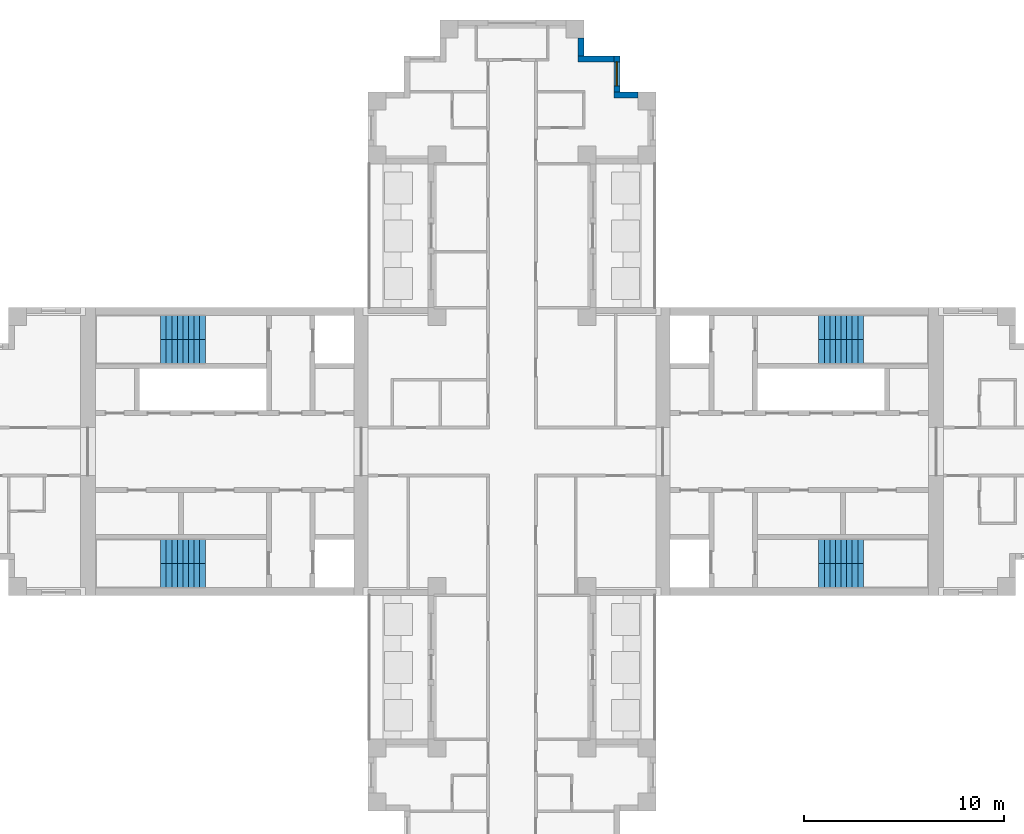
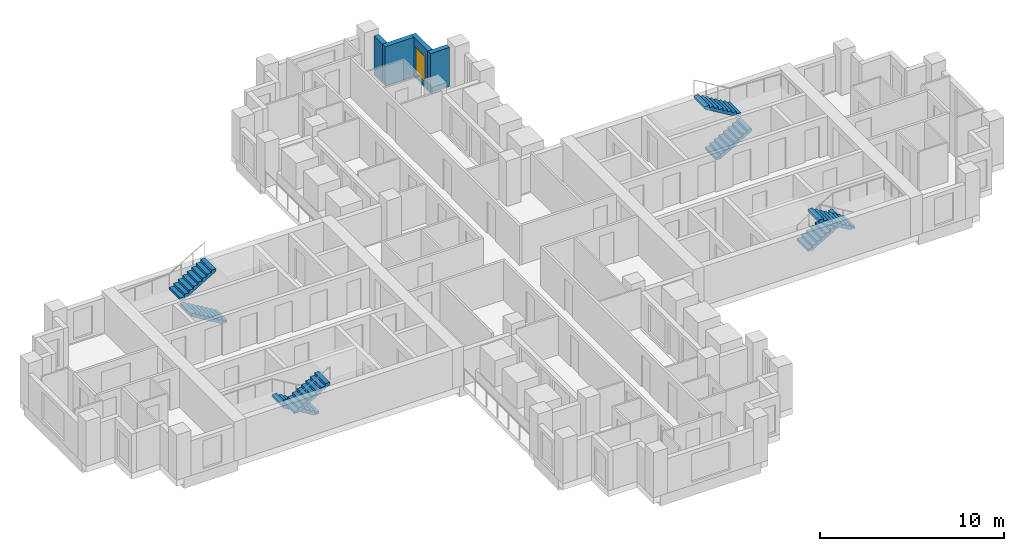
# One storey, part 8 of 10: 8 stair flights, 4 walls, 1 window, 1 opening, 4 elements without a shape of their own.
"""IFC4 building model written with IfcOpenShell, lengths in metres."""

from ifc_helpers import new_model, si_unit, direction, frame, frame_2d, origin, place, context, subcontext, project, spatial, polyline, rectangle, outline, extrude, material, layer, layer_set, type_object, element, fill, aggregate, save


model = new_model("IFC4")

# Units and contexts
model_context = context("Model", 3, precision=1e-05, world=origin(), true_north=direction((0.0, 1.0)))
body_context = subcontext(model_context, "Body", "Model", "MODEL_VIEW")
ifc_project = project(units=[si_unit("LENGTHUNIT", "METRE"), si_unit("AREAUNIT", "SQUARE_METRE"), si_unit("VOLUMEUNIT", "CUBIC_METRE"), si_unit("PLANEANGLEUNIT", "RADIAN"), si_unit("MASSUNIT", "GRAM", prefix="KILO")], contexts=[model_context])

# Site, building, storey
site_placement = place(None, origin())
site = spatial("IfcSite", under=ifc_project, at=site_placement, CompositionType="ELEMENT")
building_placement = place(site_placement, origin())
building = spatial("IfcBuilding", under=site, at=building_placement, Name="Fustian Cross Tower", CompositionType="ELEMENT")
storey_placement = place(building_placement, frame((0.0, 0.0, 228.89990234375)))
storey = spatial("IfcBuildingStorey", under=building, at=storey_placement, Name="L72", CompositionType="ELEMENT", Elevation=228.89990234375)

# Wall
ifc_material_1 = material(Name="Dark aluminium cladding on insulated backing wall", Category="aluminium")
ifc_layer = layer(ifc_material_1, 0.300048828125)
ifc_layer_set = layer_set([ifc_layer], Name="Dark aluminium cladding on insulated backing wall")
wall_type = type_object("IfcWallType", Name="XW1 EXTERNAL WALL 300", PredefinedType="SOLIDWALL", material=ifc_layer_set)
wall_1_placement = place(storey_placement, frame((6.300048828125, 17.85009765625, 0.0), z_axis=(0.0, 0.0, 1.0), x_axis=(-1.0, 0.0, 0.0)))
element("IfcWall", 1, at=wall_1_placement, inside=storey, type_object=wall_type, Name="External wall", PredefinedType="SOLIDWALL", context=body_context, shape_type="SweptSolid", body=[
    extrude(rectangle(XDim=1.199951171875, YDim=0.300048828125, at=frame_2d((0.60009765625, 0.0))), origin(), (0.0, 0.0, 1.0), 2.60009765625),
])

# Wall, opening, window
wall_2_placement = place(storey_placement, frame((5.25, 18.0, 0.0), z_axis=(0.0, 0.0, 1.0), x_axis=(0.0, 1.0, 0.0)))
wall_2 = element("IfcWall", 2, at=wall_2_placement, inside=storey, type_object=wall_type, Name="External wall", PredefinedType="SOLIDWALL", context=body_context, shape_type="SweptSolid", body=[
    extrude(rectangle(XDim=1.800048828125, YDim=0.300048828125, at=frame_2d((0.89990234375, 0.0))), origin(), (0.0, 0.0, 1.0), 2.60009765625),
])
opening_placement = place(wall_2_placement, frame((0.300048828125, 0.0, 0.199951171875)))
opening = element("IfcOpeningElement", 3, at=opening_placement, cuts=wall_2, Name="Opening WN3", PredefinedType="OPENING", context=body_context, shape_type="SweptSolid", body=[
    extrude(rectangle(XDim=1.199951171875, YDim=1.85009765625, at=frame_2d((0.60009765625, 0.925048828125))), frame((0.0, 0.159912109375, 0.0), z_axis=(0.0, -1.0, 0.0), x_axis=(1.0, 0.0, 0.0)), (0.0, 0.0, 1.0), 0.320068359375),
])
ifc_material_2 = material(Name="Dark anodised aluminium and double glazing", Category="aluminium")
window_type = type_object("IfcWindowType", Name="WN3 WINDOW 1200X1850", PartitioningType="SINGLE_PANEL", PredefinedType="WINDOW", material=ifc_material_2)
window_placement = place(opening_placement, origin())
window = element("IfcWindow", 4, at=window_placement, inside=storey, type_object=window_type, Name="Window", OverallHeight=1.85009765625, OverallWidth=1.199951171875, PartitioningType="SINGLE_PANEL", PredefinedType="WINDOW", context=body_context, shape_type="SweptSolid", body=[
    extrude(rectangle(XDim=1.199951171875, YDim=1.85009765625, at=frame_2d((0.60009765625, 0.925048828125))), frame((0.0, 0.030029296875, 0.0), z_axis=(0.0, -1.0, 0.0), x_axis=(1.0, 0.0, 0.0)), (0.0, 0.0, 1.0), 0.06005859375),
])
fill(opening, window)

# Walls
wall_3_placement = place(storey_placement, frame((5.10009765625, 19.64990234375, 0.0), z_axis=(0.0, 0.0, 1.0), x_axis=(-1.0, 0.0, 0.0)))
element("IfcWall", 5, at=wall_3_placement, inside=storey, type_object=wall_type, Name="External wall", PredefinedType="SOLIDWALL", context=body_context, shape_type="SweptSolid", body=[
    extrude(rectangle(XDim=1.800048828125, YDim=0.300048828125, at=frame_2d((0.89990234375, 0.0))), origin(), (0.0, 0.0, 1.0), 2.60009765625),
])
wall_4_placement = place(storey_placement, frame((3.449951171875, 19.800048828125, 0.0), z_axis=(0.0, 0.0, 1.0), x_axis=(0.0, 1.0, 0.0)))
element("IfcWall", 6, at=wall_4_placement, inside=storey, type_object=wall_type, Name="External wall", PredefinedType="SOLIDWALL", context=body_context, shape_type="SweptSolid", body=[
    extrude(rectangle(XDim=0.89990234375, YDim=0.300048828125, at=frame_2d((0.449951171875, 0.0))), origin(), (0.0, 0.0, 1.0), 2.60009765625),
])

# Stair, stair flights
ifc_material_3 = material(Name="Concrete C50/60", Category="concrete")
stair_type = type_object("IfcStairType", Name="STAIR 1200 HALF TURN", PredefinedType="HALF_TURN_STAIR", material=ifc_material_3)
stair_1_placement = place(storey_placement, origin())
stair_1 = element("IfcStair", 7, at=stair_1_placement, inside=storey, type_object=stair_type, Name="Stair ST1", PredefinedType="HALF_TURN_STAIR")
ifc_material_4 = material(Name="Concrete C50/60", Category="concrete")
stair_flight_type = type_object("IfcStairFlightType", Name="STAIR FLIGHT 1200", PredefinedType="STRAIGHT", material=ifc_material_4)
stair_flight_1_placement = place(storey_placement, frame((15.35009765625, 5.0, 0.0), z_axis=(0.0, 0.0, 1.0), x_axis=(1.0, 0.0, 0.0)))
stair_flight_1 = element("IfcStairFlight", 8, at=stair_flight_1_placement, type_object=stair_flight_type, Name="ST1 flight 1", NumberOfRisers=9, NumberOfTreads=8, PredefinedType="STRAIGHT", RiserHeight=0.166666667, TreadLength=0.28, context=body_context, shape_type="SweptSolid", body=[
    extrude(outline(polyline([(0.0, 0.0), (0.0, 0.166748046875), (0.280029296875, 0.166748046875), (0.280029296875, 0.333251953125), (0.56005859375, 0.333251953125), (0.56005859375, 0.5), (0.840087890625, 0.5), (0.840087890625, 0.666748046875), (1.1201171875, 0.666748046875), (1.1201171875, 0.833251953125), (1.39990234375, 0.833251953125), (1.39990234375, 1.0), (1.679931640625, 1.0), (1.679931640625, 1.166748046875), (1.9599609375, 1.166748046875), (1.9599609375, 1.333251953125), (2.239990234375, 1.333251953125), (2.239990234375, 1.5), (2.239990234375, 1.158935546875), (0.29296875, 0.0), (0.0, 0.0)])), frame((0.0, 0.60009765625, 0.0), z_axis=(0.0, -1.0, 0.0), x_axis=(1.0, 0.0, 0.0)), (0.0, 0.0, 1.0), 1.199951171875),
])
stair_flight_2_placement = place(storey_placement, frame((17.590087890625, 6.199951171875, 1.5), z_axis=(0.0, 0.0, 1.0), x_axis=(-1.0, 0.0, 0.0)))
stair_flight_2 = element("IfcStairFlight", 9, at=stair_flight_2_placement, type_object=stair_flight_type, Name="ST1 flight 2", NumberOfRisers=9, NumberOfTreads=8, PredefinedType="STRAIGHT", RiserHeight=0.166666667, TreadLength=0.28, context=body_context, shape_type="SweptSolid", body=[
    extrude(outline(polyline([(0.0, 0.0), (0.0, 0.166748046875), (0.280029296875, 0.166748046875), (0.280029296875, 0.333251953125), (0.56005859375, 0.333251953125), (0.56005859375, 0.5), (0.840087890625, 0.5), (0.840087890625, 0.666748046875), (1.1201171875, 0.666748046875), (1.1201171875, 0.833251953125), (1.39990234375, 0.833251953125), (1.39990234375, 1.0), (1.679931640625, 1.0), (1.679931640625, 1.166748046875), (1.9599609375, 1.166748046875), (1.9599609375, 1.333251953125), (2.239990234375, 1.333251953125), (2.239990234375, 1.5), (2.239990234375, 1.158935546875), (0.29296875, 0.0), (0.0, 0.0)])), frame((0.0, 0.60009765625, 0.0), z_axis=(0.0, -1.0, 0.0), x_axis=(1.0, 0.0, 0.0)), (0.0, 0.0, 1.0), 1.199951171875),
])
aggregate(stair_1, [stair_flight_1, stair_flight_2])

stair_2_placement = place(storey_placement, origin())
stair_2 = element("IfcStair", 10, at=stair_2_placement, inside=storey, type_object=stair_type, Name="Stair ST2", PredefinedType="HALF_TURN_STAIR")
stair_flight_3_placement = place(storey_placement, frame((15.35009765625, -5.0, 0.0), z_axis=(0.0, 0.0, 1.0), x_axis=(1.0, 0.0, 0.0)))
stair_flight_3 = element("IfcStairFlight", 11, at=stair_flight_3_placement, type_object=stair_flight_type, Name="ST2 flight 1", NumberOfRisers=9, NumberOfTreads=8, PredefinedType="STRAIGHT", RiserHeight=0.166666667, TreadLength=0.28, context=body_context, shape_type="SweptSolid", body=[
    extrude(outline(polyline([(0.0, 0.0), (0.0, 0.166748046875), (0.280029296875, 0.166748046875), (0.280029296875, 0.333251953125), (0.56005859375, 0.333251953125), (0.56005859375, 0.5), (0.840087890625, 0.5), (0.840087890625, 0.666748046875), (1.1201171875, 0.666748046875), (1.1201171875, 0.833251953125), (1.39990234375, 0.833251953125), (1.39990234375, 1.0), (1.679931640625, 1.0), (1.679931640625, 1.166748046875), (1.9599609375, 1.166748046875), (1.9599609375, 1.333251953125), (2.239990234375, 1.333251953125), (2.239990234375, 1.5), (2.239990234375, 1.158935546875), (0.29296875, 0.0), (0.0, 0.0)])), frame((0.0, 0.60009765625, 0.0), z_axis=(0.0, -1.0, 0.0), x_axis=(1.0, 0.0, 0.0)), (0.0, 0.0, 1.0), 1.199951171875),
])
stair_flight_4_placement = place(storey_placement, frame((17.590087890625, -6.199951171875, 1.5), z_axis=(0.0, 0.0, 1.0), x_axis=(-1.0, 0.0, 0.0)))
stair_flight_4 = element("IfcStairFlight", 12, at=stair_flight_4_placement, type_object=stair_flight_type, Name="ST2 flight 2", NumberOfRisers=9, NumberOfTreads=8, PredefinedType="STRAIGHT", RiserHeight=0.166666667, TreadLength=0.28, context=body_context, shape_type="SweptSolid", body=[
    extrude(outline(polyline([(0.0, 0.0), (0.0, 0.166748046875), (0.280029296875, 0.166748046875), (0.280029296875, 0.333251953125), (0.56005859375, 0.333251953125), (0.56005859375, 0.5), (0.840087890625, 0.5), (0.840087890625, 0.666748046875), (1.1201171875, 0.666748046875), (1.1201171875, 0.833251953125), (1.39990234375, 0.833251953125), (1.39990234375, 1.0), (1.679931640625, 1.0), (1.679931640625, 1.166748046875), (1.9599609375, 1.166748046875), (1.9599609375, 1.333251953125), (2.239990234375, 1.333251953125), (2.239990234375, 1.5), (2.239990234375, 1.158935546875), (0.29296875, 0.0), (0.0, 0.0)])), frame((0.0, 0.60009765625, 0.0), z_axis=(0.0, -1.0, 0.0), x_axis=(1.0, 0.0, 0.0)), (0.0, 0.0, 1.0), 1.199951171875),
])
aggregate(stair_2, [stair_flight_3, stair_flight_4])

stair_3_placement = place(storey_placement, origin())
stair_3 = element("IfcStair", 13, at=stair_3_placement, inside=storey, type_object=stair_type, Name="Stair ST3", PredefinedType="HALF_TURN_STAIR")
stair_flight_5_placement = place(storey_placement, frame((-15.35009765625, 5.0, 0.0), z_axis=(0.0, 0.0, 1.0), x_axis=(-1.0, 0.0, 0.0)))
stair_flight_5 = element("IfcStairFlight", 14, at=stair_flight_5_placement, type_object=stair_flight_type, Name="ST3 flight 1", NumberOfRisers=9, NumberOfTreads=8, PredefinedType="STRAIGHT", RiserHeight=0.166666667, TreadLength=0.28, context=body_context, shape_type="SweptSolid", body=[
    extrude(outline(polyline([(0.0, 0.0), (0.0, 0.166748046875), (0.280029296875, 0.166748046875), (0.280029296875, 0.333251953125), (0.56005859375, 0.333251953125), (0.56005859375, 0.5), (0.840087890625, 0.5), (0.840087890625, 0.666748046875), (1.1201171875, 0.666748046875), (1.1201171875, 0.833251953125), (1.39990234375, 0.833251953125), (1.39990234375, 1.0), (1.679931640625, 1.0), (1.679931640625, 1.166748046875), (1.9599609375, 1.166748046875), (1.9599609375, 1.333251953125), (2.239990234375, 1.333251953125), (2.239990234375, 1.5), (2.239990234375, 1.158935546875), (0.29296875, 0.0), (0.0, 0.0)])), frame((0.0, 0.60009765625, 0.0), z_axis=(0.0, -1.0, 0.0), x_axis=(1.0, 0.0, 0.0)), (0.0, 0.0, 1.0), 1.199951171875),
])
stair_flight_6_placement = place(storey_placement, frame((-17.590087890625, 6.199951171875, 1.5), z_axis=(0.0, 0.0, 1.0), x_axis=(1.0, 0.0, 0.0)))
stair_flight_6 = element("IfcStairFlight", 15, at=stair_flight_6_placement, type_object=stair_flight_type, Name="ST3 flight 2", NumberOfRisers=9, NumberOfTreads=8, PredefinedType="STRAIGHT", RiserHeight=0.166666667, TreadLength=0.28, context=body_context, shape_type="SweptSolid", body=[
    extrude(outline(polyline([(0.0, 0.0), (0.0, 0.166748046875), (0.280029296875, 0.166748046875), (0.280029296875, 0.333251953125), (0.56005859375, 0.333251953125), (0.56005859375, 0.5), (0.840087890625, 0.5), (0.840087890625, 0.666748046875), (1.1201171875, 0.666748046875), (1.1201171875, 0.833251953125), (1.39990234375, 0.833251953125), (1.39990234375, 1.0), (1.679931640625, 1.0), (1.679931640625, 1.166748046875), (1.9599609375, 1.166748046875), (1.9599609375, 1.333251953125), (2.239990234375, 1.333251953125), (2.239990234375, 1.5), (2.239990234375, 1.158935546875), (0.29296875, 0.0), (0.0, 0.0)])), frame((0.0, 0.60009765625, 0.0), z_axis=(0.0, -1.0, 0.0), x_axis=(1.0, 0.0, 0.0)), (0.0, 0.0, 1.0), 1.199951171875),
])
aggregate(stair_3, [stair_flight_5, stair_flight_6])

stair_4_placement = place(storey_placement, origin())
stair_4 = element("IfcStair", 16, at=stair_4_placement, inside=storey, type_object=stair_type, Name="Stair ST4", PredefinedType="HALF_TURN_STAIR")
stair_flight_7_placement = place(storey_placement, frame((-15.35009765625, -5.0, 0.0), z_axis=(0.0, 0.0, 1.0), x_axis=(-1.0, 0.0, 0.0)))
stair_flight_7 = element("IfcStairFlight", 17, at=stair_flight_7_placement, type_object=stair_flight_type, Name="ST4 flight 1", NumberOfRisers=9, NumberOfTreads=8, PredefinedType="STRAIGHT", RiserHeight=0.166666667, TreadLength=0.28, context=body_context, shape_type="SweptSolid", body=[
    extrude(outline(polyline([(0.0, 0.0), (0.0, 0.166748046875), (0.280029296875, 0.166748046875), (0.280029296875, 0.333251953125), (0.56005859375, 0.333251953125), (0.56005859375, 0.5), (0.840087890625, 0.5), (0.840087890625, 0.666748046875), (1.1201171875, 0.666748046875), (1.1201171875, 0.833251953125), (1.39990234375, 0.833251953125), (1.39990234375, 1.0), (1.679931640625, 1.0), (1.679931640625, 1.166748046875), (1.9599609375, 1.166748046875), (1.9599609375, 1.333251953125), (2.239990234375, 1.333251953125), (2.239990234375, 1.5), (2.239990234375, 1.158935546875), (0.29296875, 0.0), (0.0, 0.0)])), frame((0.0, 0.60009765625, 0.0), z_axis=(0.0, -1.0, 0.0), x_axis=(1.0, 0.0, 0.0)), (0.0, 0.0, 1.0), 1.199951171875),
])
stair_flight_8_placement = place(storey_placement, frame((-17.590087890625, -6.199951171875, 1.5), z_axis=(0.0, 0.0, 1.0), x_axis=(1.0, 0.0, 0.0)))
stair_flight_8 = element("IfcStairFlight", 18, at=stair_flight_8_placement, type_object=stair_flight_type, Name="ST4 flight 2", NumberOfRisers=9, NumberOfTreads=8, PredefinedType="STRAIGHT", RiserHeight=0.166666667, TreadLength=0.28, context=body_context, shape_type="SweptSolid", body=[
    extrude(outline(polyline([(0.0, 0.0), (0.0, 0.166748046875), (0.280029296875, 0.166748046875), (0.280029296875, 0.333251953125), (0.56005859375, 0.333251953125), (0.56005859375, 0.5), (0.840087890625, 0.5), (0.840087890625, 0.666748046875), (1.1201171875, 0.666748046875), (1.1201171875, 0.833251953125), (1.39990234375, 0.833251953125), (1.39990234375, 1.0), (1.679931640625, 1.0), (1.679931640625, 1.166748046875), (1.9599609375, 1.166748046875), (1.9599609375, 1.333251953125), (2.239990234375, 1.333251953125), (2.239990234375, 1.5), (2.239990234375, 1.158935546875), (0.29296875, 0.0), (0.0, 0.0)])), frame((0.0, 0.60009765625, 0.0), z_axis=(0.0, -1.0, 0.0), x_axis=(1.0, 0.0, 0.0)), (0.0, 0.0, 1.0), 1.199951171875),
])
aggregate(stair_4, [stair_flight_7, stair_flight_8])

save(model, "model.ifc")
